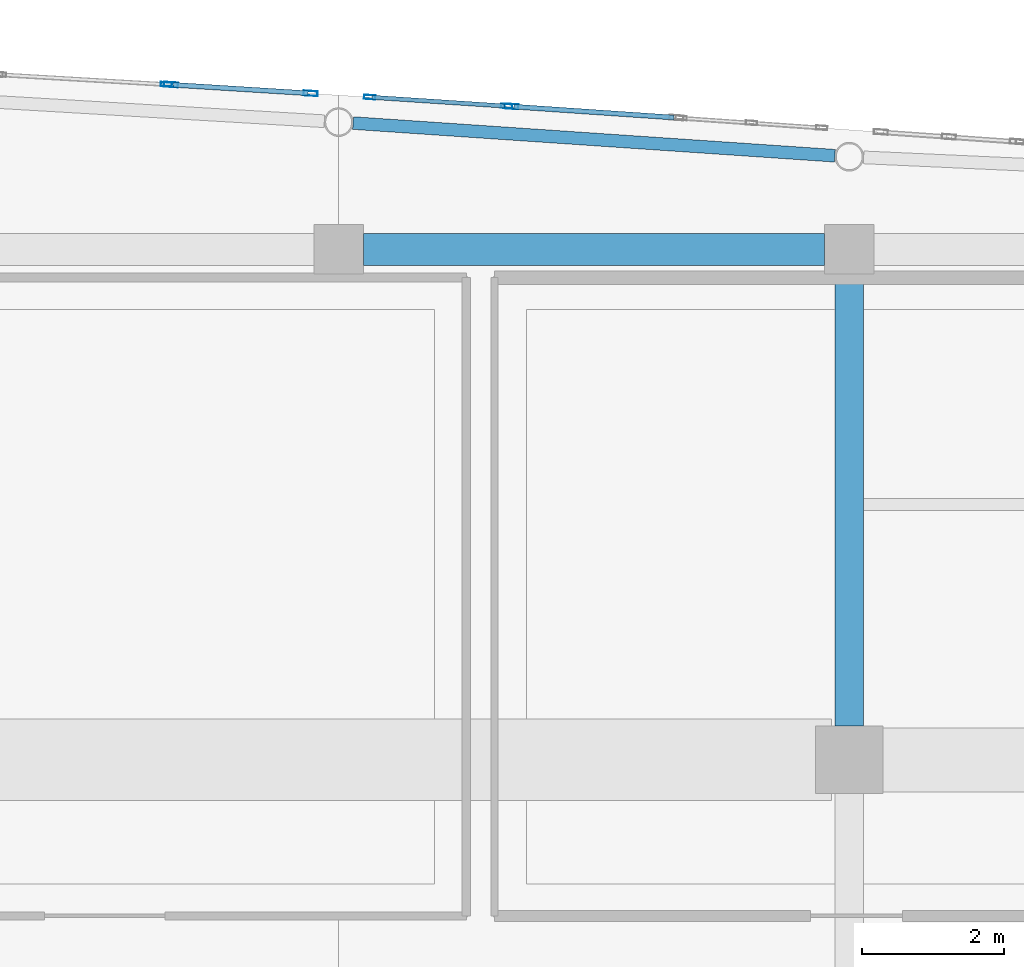
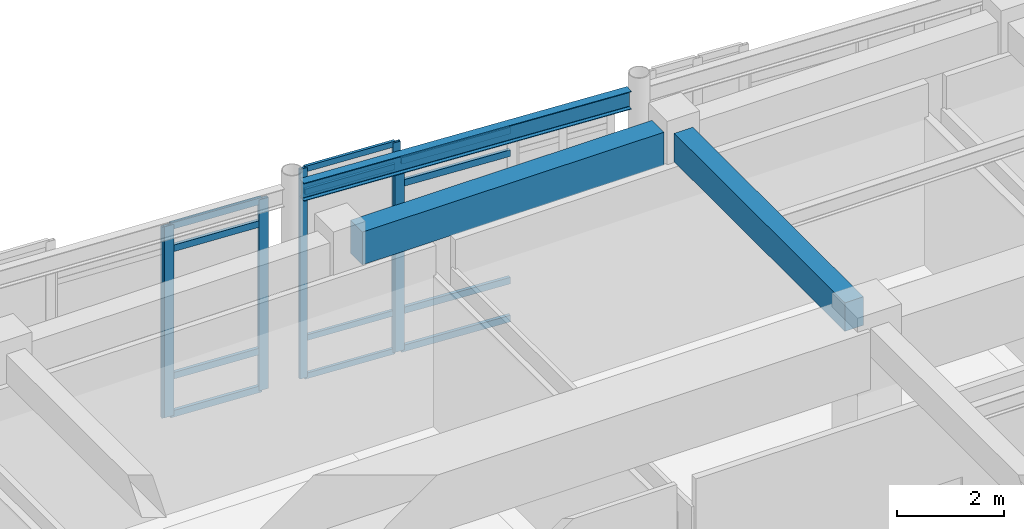
# One storey, part 56 of 117: 18 members, 3 beams, 4 elements without a shape of their own.
"""IFC4 building model written with IfcOpenShell, lengths in metres."""

from ifc_helpers import new_model, si_unit, direction, frame, origin, origin_2d, place, context, subcontext, project, spatial, rectangle, hollow_rectangle, i_section, extrude, material, layer, layer_set, material_profile, profile_set, type_object, element, aggregate, save


model = new_model("IFC4")

# Units and contexts
model_context = context("Model", 3, precision=1e-05, world=origin(), true_north=direction((0.0, 1.0)))
body_context = subcontext(model_context, "Body", "Model", "MODEL_VIEW")
ifc_project = project(units=[si_unit("LENGTHUNIT", "METRE"), si_unit("AREAUNIT", "SQUARE_METRE"), si_unit("VOLUMEUNIT", "CUBIC_METRE"), si_unit("PLANEANGLEUNIT", "RADIAN"), si_unit("MASSUNIT", "GRAM", prefix="KILO")], contexts=[model_context])

# Site, building, storey
site_placement = place(None, origin())
site = spatial("IfcSite", under=ifc_project, at=site_placement, CompositionType="ELEMENT")
building_placement = place(site_placement, origin())
building = spatial("IfcBuilding", under=site, at=building_placement, Name="Carrowvane Square Congress Hotel", CompositionType="ELEMENT")
storey_placement = place(building_placement, frame((0.0, 0.0, 5.39990234375)))
storey = spatial("IfcBuildingStorey", under=building, at=storey_placement, Name="L01", CompositionType="ELEMENT", Elevation=5.39990234375)

# Beams
ifc_material_1 = material(Name="Concrete C35/45", Category="concrete")
ifc_material_profile_1 = material_profile(ifc_material_1, rectangle(XDim=0.39990234375, YDim=0.64990234375, at=origin_2d()), Name="RC 400x650")
ifc_profile_set_1 = profile_set([ifc_material_profile_1], Name="Concrete C35/45")
beam_type_1 = type_object("IfcBeamType", Name="BM-RC-400x650", PredefinedType="BEAM", material=ifc_profile_set_1)
beam_1_placement = place(storey_placement, frame((134.0, 106.675048828125, 4.455078125), z_axis=(0.0, 1.0, 0.0), x_axis=(-1.0, 0.0, 0.0)))
element("IfcBeam", 1, at=beam_1_placement, inside=storey, type_object=beam_type_1, Name="L02 girder 18/Q-R", PredefinedType="BEAM", context=body_context, shape_type="SweptSolid", body=[
    extrude(rectangle(XDim=0.39990234375, YDim=0.64990234375, at=origin_2d()), origin(), (0.0, 0.0, 1.0), 6.375),
])
ifc_material_2 = material(Name="Concrete C35/45", Category="concrete")
ifc_material_profile_2 = material_profile(ifc_material_2, rectangle(XDim=0.449951171875, YDim=0.75, at=origin_2d()), Name="RC 450x750")
ifc_profile_set_2 = profile_set([ifc_material_profile_2], Name="Concrete C35/45")
beam_type_2 = type_object("IfcBeamType", Name="BM-RC-450x750", PredefinedType="USERDEFINED", material=ifc_profile_set_2)
beam_2_placement = place(storey_placement, frame((127.14990234375, 113.39990234375, 4.405029296875), z_axis=(1.0, 0.0, 0.0), x_axis=(0.0, 1.0, 0.0)))
element("IfcBeam", 2, at=beam_2_placement, inside=storey, type_object=beam_type_2, Name="L02 girder R/17-18", ObjectType="GIRDER", PredefinedType="USERDEFINED", context=body_context, shape_type="SweptSolid", body=[
    extrude(rectangle(XDim=0.449951171875, YDim=0.75, at=origin_2d()), origin(), (0.0, 0.0, 1.0), 6.5),
])
ifc_material_3 = material(Name="Steel S355", Category="steel")
ifc_material_profile_3 = material_profile(ifc_material_3, i_section(OverallWidth=0.1787109375, OverallDepth=0.409423828125, WebThickness=0.0087890625, FlangeThickness=0.014404296875, FilletRadius=0.01025390625, at=origin_2d()), Name="UKB 406x178x67")
ifc_profile_set_3 = profile_set([ifc_material_profile_3], Name="Steel S355")
beam_type_3 = type_object("IfcBeamType", Name="BM-ST-UKB406", PredefinedType="BEAM", material=ifc_profile_set_3)
beam_3_placement = place(storey_placement, frame((127.002685546875, 115.1806640625, 4.575439453125), z_axis=(0.997706912919, -0.067682463857, 0.0), x_axis=(0.067682463857, 0.997706912919, 0.0)))
element("IfcBeam", 3, at=beam_3_placement, inside=storey, type_object=beam_type_3, Name="L02 curved north spandrel", PredefinedType="BEAM", context=body_context, shape_type="SweptSolid", body=[
    extrude(i_section(OverallWidth=0.1787109375, OverallDepth=0.409423828125, WebThickness=0.0087890625, FlangeThickness=0.014404296875, FilletRadius=0.01025390625, at=origin_2d()), origin(), (0.0, 0.0, 1.0), 6.810302734375),
])

# Curtain wall, member
ifc_material_4 = material(Name="Anodised aluminium", Category="aluminium")
ifc_layer_1 = layer(ifc_material_4, 0.18603515625)
ifc_layer_set_1 = layer_set([ifc_layer_1], Name="Anodised aluminium")
curtain_wall_type_1 = type_object("IfcCurtainWallType", Name="CW-SYS-3", PredefinedType="NOTDEFINED", material=ifc_layer_set_1)
curtain_wall_1_placement = place(storey_placement, origin())
curtain_wall_1 = element("IfcCurtainWall", 4, at=curtain_wall_1_placement, inside=storey, type_object=curtain_wall_type_1, Name="L01 unitised curtain wall 98", PredefinedType="NOTDEFINED")
ifc_material_5 = material(Name="Anodised aluminium", Category="aluminium")
ifc_material_profile_4 = material_profile(ifc_material_5, hollow_rectangle(XDim=0.06005859375, YDim=0.159912109375, WallThickness=0.00390625, at=origin_2d()), Name="CW-ML 60x160x4")
ifc_profile_set_4 = profile_set([ifc_material_profile_4], Name="Anodised aluminium")
member_type_1 = type_object("IfcMemberType", Name="CW-MUL-1", PredefinedType="MULLION", material=ifc_profile_set_4)
member_1_placement = place(storey_placement, frame((124.3701171875, 115.72607421875, 0.0), z_axis=(0.0, 0.0, 1.0), x_axis=(0.058851249486, 0.998266763162, 0.0)))
member_1 = element("IfcMember", 5, at=member_1_placement, type_object=member_type_1, Name="CW-3 mullion 2", PredefinedType="MULLION", context=body_context, shape_type="SweptSolid", body=[
    extrude(hollow_rectangle(XDim=0.06005859375, YDim=0.159912109375, WallThickness=0.00390625, at=origin_2d()), origin(), (0.0, 0.0, 1.0), 4.355712890625),
])
aggregate(curtain_wall_1, [member_1])

# Curtain wall, members
ifc_material_6 = material(Name="Anodised aluminium", Category="aluminium")
ifc_layer_2 = layer(ifc_material_6, 0.2099609375)
ifc_layer_set_2 = layer_set([ifc_layer_2], Name="Anodised aluminium")
curtain_wall_type_2 = type_object("IfcCurtainWallType", Name="CW-SYS-5", PredefinedType="NOTDEFINED", material=ifc_layer_set_2)
curtain_wall_2_placement = place(storey_placement, origin())
curtain_wall_2 = element("IfcCurtainWall", 6, at=curtain_wall_2_placement, inside=storey, type_object=curtain_wall_type_2, Name="L01 unitised curtain wall 100", PredefinedType="NOTDEFINED")
member_2_placement = place(storey_placement, frame((127.23828125, 115.545654296875, 0.0), z_axis=(0.0, 0.0, 1.0), x_axis=(0.065413941589, 0.9978582145, 0.0)))
member_2 = element("IfcMember", 7, at=member_2_placement, type_object=member_type_1, Name="CW-5 mullion 1", PredefinedType="MULLION", context=body_context, shape_type="SweptSolid", body=[
    extrude(hollow_rectangle(XDim=0.06005859375, YDim=0.159912109375, WallThickness=0.00390625, at=origin_2d()), origin(), (0.0, 0.0, 1.0), 4.780029296875),
])
member_3_placement = place(storey_placement, frame((129.170166015625, 115.4189453125, 0.0), z_axis=(0.0, 0.0, 1.0), x_axis=(0.065413941589, 0.9978582145, 0.0)))
member_3 = element("IfcMember", 8, at=member_3_placement, type_object=member_type_1, Name="CW-5 mullion 2", PredefinedType="MULLION", context=body_context, shape_type="SweptSolid", body=[
    extrude(hollow_rectangle(XDim=0.06005859375, YDim=0.159912109375, WallThickness=0.00390625, at=origin_2d()), origin(), (0.0, 0.0, 1.0), 4.780029296875),
])

ifc_material_7 = material(Name="Anodised aluminium", Category="aluminium")
ifc_layer_3 = layer(ifc_material_7, 0.197998046875)
ifc_layer_set_3 = layer_set([ifc_layer_3], Name="Anodised aluminium")
curtain_wall_type_3 = type_object("IfcCurtainWallType", Name="CW-SYS-4", PredefinedType="NOTDEFINED", material=ifc_layer_set_3)
curtain_wall_3_placement = place(storey_placement, origin())
curtain_wall_3 = element("IfcCurtainWall", 9, at=curtain_wall_3_placement, inside=storey, type_object=curtain_wall_type_3, Name="L01 unitised curtain wall 99", PredefinedType="NOTDEFINED")
ifc_material_8 = material(Name="Anodised aluminium", Category="aluminium")
ifc_material_profile_5 = material_profile(ifc_material_8, hollow_rectangle(XDim=0.070068359375, YDim=0.199951171875, WallThickness=0.0048828125, at=origin_2d()), Name="CW-ML 70x200x5")
ifc_profile_set_5 = profile_set([ifc_material_profile_5], Name="Anodised aluminium")
member_type_2 = type_object("IfcMemberType", Name="CW-MUL-2", PredefinedType="MULLION", material=ifc_profile_set_5)
member_4_placement = place(storey_placement, frame((124.434814453125, 115.72216796875, 0.0), z_axis=(0.0, 0.0, 1.0), x_axis=(0.062397170272, 0.998051398046, 0.0)))
member_4 = element("IfcMember", 10, at=member_4_placement, type_object=member_type_2, Name="CW-4 mullion 1", PredefinedType="MULLION", context=body_context, shape_type="SweptSolid", body=[
    extrude(hollow_rectangle(XDim=0.070068359375, YDim=0.199951171875, WallThickness=0.0048828125, at=origin_2d()), origin(), (0.0, 0.0, 1.0), 4.355712890625),
])
member_5_placement = place(storey_placement, frame((126.405029296875, 115.598876953125, 0.0), z_axis=(0.0, 0.0, 1.0), x_axis=(0.062397170272, 0.998051398046, 0.0)))
member_5 = element("IfcMember", 11, at=member_5_placement, type_object=member_type_2, Name="CW-4 mullion 2", PredefinedType="MULLION", context=body_context, shape_type="SweptSolid", body=[
    extrude(hollow_rectangle(XDim=0.070068359375, YDim=0.199951171875, WallThickness=0.0048828125, at=origin_2d()), origin(), (0.0, 0.0, 1.0), 4.355712890625),
])

# Curtain wall, member
ifc_material_9 = material(Name="Anodised aluminium", Category="aluminium")
ifc_layer_4 = layer(ifc_material_9, 0.221923828125)
ifc_layer_set_4 = layer_set([ifc_layer_4], Name="Anodised aluminium")
curtain_wall_type_4 = type_object("IfcCurtainWallType", Name="CW-SYS-6", PredefinedType="NOTDEFINED", material=ifc_layer_set_4)
curtain_wall_4_placement = place(storey_placement, origin())
curtain_wall_4 = element("IfcCurtainWall", 12, at=curtain_wall_4_placement, inside=storey, type_object=curtain_wall_type_4, Name="L01 unitised curtain wall 101", PredefinedType="NOTDEFINED")
member_6_placement = place(storey_placement, frame((129.23486328125, 115.41455078125, 0.0), z_axis=(0.0, 0.0, 1.0), x_axis=(0.067869562107, 0.99769420292, 0.0)))
member_6 = element("IfcMember", 13, at=member_6_placement, type_object=member_type_2, Name="CW-6 mullion 1", PredefinedType="MULLION", context=body_context, shape_type="SweptSolid", body=[
    extrude(hollow_rectangle(XDim=0.070068359375, YDim=0.199951171875, WallThickness=0.0048828125, at=origin_2d()), origin(), (0.0, 0.0, 1.0), 4.355712890625),
])

# Member
ifc_material_10 = material(Name="Anodised aluminium", Category="aluminium")
ifc_material_profile_6 = material_profile(ifc_material_10, hollow_rectangle(XDim=0.06005859375, YDim=0.1298828125, WallThickness=0.00390625, at=origin_2d()), Name="CW-TR 60x130x4")
ifc_profile_set_6 = profile_set([ifc_material_profile_6], Name="Anodised aluminium")
member_type_3 = type_object("IfcMemberType", Name="CW-TRN-1", PredefinedType="USERDEFINED", material=ifc_profile_set_6)
member_7_placement = place(storey_placement, frame((127.268310546875, 115.543701171875, 0.030029296875), z_axis=(0.997854858908, -0.065465109434, 0.0), x_axis=(0.065465109434, 0.997854858908, 0.0)))
member_7 = element("IfcMember", 14, at=member_7_placement, type_object=member_type_3, Name="CW-5 transom 1.1", ObjectType="TRANSOM", PredefinedType="USERDEFINED", context=body_context, shape_type="SweptSolid", body=[
    extrude(hollow_rectangle(XDim=0.06005859375, YDim=0.1298828125, WallThickness=0.00390625, at=origin_2d()), origin(), (0.0, 0.0, 1.0), 1.875732421875),
])

member_8_placement = place(storey_placement, frame((127.268310546875, 115.543701171875, 0.900146484375), z_axis=(0.997854858908, -0.065465109434, 0.0), x_axis=(0.065465109434, 0.997854858908, 0.0)))
member_8 = element("IfcMember", 15, at=member_8_placement, type_object=member_type_3, Name="CW-5 transom 1.2", ObjectType="TRANSOM", PredefinedType="USERDEFINED", context=body_context, shape_type="SweptSolid", body=[
    extrude(hollow_rectangle(XDim=0.06005859375, YDim=0.1298828125, WallThickness=0.00390625, at=origin_2d()), origin(), (0.0, 0.0, 1.0), 1.875732421875),
])

member_9_placement = place(storey_placement, frame((127.268310546875, 115.543701171875, 4.22998046875), z_axis=(0.997854858908, -0.065465109434, 0.0), x_axis=(0.065465109434, 0.997854858908, 0.0)))
member_9 = element("IfcMember", 16, at=member_9_placement, type_object=member_type_3, Name="CW-5 transom 1.3", ObjectType="TRANSOM", PredefinedType="USERDEFINED", context=body_context, shape_type="SweptSolid", body=[
    extrude(hollow_rectangle(XDim=0.06005859375, YDim=0.1298828125, WallThickness=0.00390625, at=origin_2d()), origin(), (0.0, 0.0, 1.0), 1.875732421875),
])

member_10_placement = place(storey_placement, frame((127.268310546875, 115.543701171875, 4.75), z_axis=(0.997854858908, -0.065465109434, 0.0), x_axis=(0.065465109434, 0.997854858908, 0.0)))
member_10 = element("IfcMember", 17, at=member_10_placement, type_object=member_type_3, Name="CW-5 transom 1.4", ObjectType="TRANSOM", PredefinedType="USERDEFINED", context=body_context, shape_type="SweptSolid", body=[
    extrude(hollow_rectangle(XDim=0.06005859375, YDim=0.1298828125, WallThickness=0.00390625, at=origin_2d()), origin(), (0.0, 0.0, 1.0), 1.875732421875),
])

aggregate(curtain_wall_2, [member_2, member_3, member_7, member_8, member_9, member_10])

ifc_material_11 = material(Name="Anodised aluminium", Category="aluminium")
ifc_material_profile_7 = material_profile(ifc_material_11, hollow_rectangle(XDim=0.070068359375, YDim=0.14990234375, WallThickness=0.0048828125, at=origin_2d()), Name="CW-TR 70x150x5")
ifc_profile_set_7 = profile_set([ifc_material_profile_7], Name="Anodised aluminium")
member_type_4 = type_object("IfcMemberType", Name="CW-TRN-2", PredefinedType="USERDEFINED", material=ifc_profile_set_7)
member_11_placement = place(storey_placement, frame((124.469970703125, 115.719970703125, 0.03515625), z_axis=(0.998048085199, -0.062450137157, 0.0), x_axis=(0.062450137157, 0.998048085199, 0.0)))
member_11 = element("IfcMember", 18, at=member_11_placement, type_object=member_type_4, Name="CW-4 transom 1.1", ObjectType="TRANSOM", PredefinedType="USERDEFINED", context=body_context, shape_type="SweptSolid", body=[
    extrude(hollow_rectangle(XDim=0.070068359375, YDim=0.14990234375, WallThickness=0.0048828125, at=origin_2d()), origin(), (0.0, 0.0, 1.0), 1.90380859375),
])

member_12_placement = place(storey_placement, frame((124.469970703125, 115.719970703125, 0.900146484375), z_axis=(0.998048085199, -0.062450137157, 0.0), x_axis=(0.062450137157, 0.998048085199, 0.0)))
member_12 = element("IfcMember", 19, at=member_12_placement, type_object=member_type_4, Name="CW-4 transom 1.2", ObjectType="TRANSOM", PredefinedType="USERDEFINED", context=body_context, shape_type="SweptSolid", body=[
    extrude(hollow_rectangle(XDim=0.070068359375, YDim=0.14990234375, WallThickness=0.0048828125, at=origin_2d()), origin(), (0.0, 0.0, 1.0), 1.90380859375),
])

member_13_placement = place(storey_placement, frame((124.469970703125, 115.719970703125, 3.8056640625), z_axis=(0.998048085199, -0.062450137157, 0.0), x_axis=(0.062450137157, 0.998048085199, 0.0)))
member_13 = element("IfcMember", 20, at=member_13_placement, type_object=member_type_4, Name="CW-4 transom 1.3", ObjectType="TRANSOM", PredefinedType="USERDEFINED", context=body_context, shape_type="SweptSolid", body=[
    extrude(hollow_rectangle(XDim=0.070068359375, YDim=0.14990234375, WallThickness=0.0048828125, at=origin_2d()), origin(), (0.0, 0.0, 1.0), 1.90380859375),
])

member_14_placement = place(storey_placement, frame((124.469970703125, 115.719970703125, 4.32080078125), z_axis=(0.998048085199, -0.062450137157, 0.0), x_axis=(0.062450137157, 0.998048085199, 0.0)))
member_14 = element("IfcMember", 21, at=member_14_placement, type_object=member_type_4, Name="CW-4 transom 1.4", ObjectType="TRANSOM", PredefinedType="USERDEFINED", context=body_context, shape_type="SweptSolid", body=[
    extrude(hollow_rectangle(XDim=0.070068359375, YDim=0.14990234375, WallThickness=0.0048828125, at=origin_2d()), origin(), (0.0, 0.0, 1.0), 1.90380859375),
])

aggregate(curtain_wall_3, [member_4, member_5, member_11, member_12, member_13, member_14])

member_15_placement = place(storey_placement, frame((129.269775390625, 115.412109375, 0.03515625), z_axis=(0.997699953678, -0.067784972009, 0.0), x_axis=(0.067784972009, 0.997699953678, 0.0)))
member_15 = element("IfcMember", 22, at=member_15_placement, type_object=member_type_4, Name="CW-6 transom 1.1", ObjectType="TRANSOM", PredefinedType="USERDEFINED", context=body_context, shape_type="SweptSolid", body=[
    extrude(hollow_rectangle(XDim=0.070068359375, YDim=0.14990234375, WallThickness=0.0048828125, at=origin_2d()), origin(), (0.0, 0.0, 1.0), 2.265380859375),
])

member_16_placement = place(storey_placement, frame((129.269775390625, 115.412109375, 0.900146484375), z_axis=(0.997699953678, -0.067784972009, 0.0), x_axis=(0.067784972009, 0.997699953678, 0.0)))
member_16 = element("IfcMember", 23, at=member_16_placement, type_object=member_type_4, Name="CW-6 transom 1.2", ObjectType="TRANSOM", PredefinedType="USERDEFINED", context=body_context, shape_type="SweptSolid", body=[
    extrude(hollow_rectangle(XDim=0.070068359375, YDim=0.14990234375, WallThickness=0.0048828125, at=origin_2d()), origin(), (0.0, 0.0, 1.0), 2.265380859375),
])

member_17_placement = place(storey_placement, frame((129.269775390625, 115.412109375, 3.8056640625), z_axis=(0.997699953678, -0.067784972009, 0.0), x_axis=(0.067784972009, 0.997699953678, 0.0)))
member_17 = element("IfcMember", 24, at=member_17_placement, type_object=member_type_4, Name="CW-6 transom 1.3", ObjectType="TRANSOM", PredefinedType="USERDEFINED", context=body_context, shape_type="SweptSolid", body=[
    extrude(hollow_rectangle(XDim=0.070068359375, YDim=0.14990234375, WallThickness=0.0048828125, at=origin_2d()), origin(), (0.0, 0.0, 1.0), 2.265380859375),
])

member_18_placement = place(storey_placement, frame((129.269775390625, 115.412109375, 4.32080078125), z_axis=(0.997699953678, -0.067784972009, 0.0), x_axis=(0.067784972009, 0.997699953678, 0.0)))
member_18 = element("IfcMember", 25, at=member_18_placement, type_object=member_type_4, Name="CW-6 transom 1.4", ObjectType="TRANSOM", PredefinedType="USERDEFINED", context=body_context, shape_type="SweptSolid", body=[
    extrude(hollow_rectangle(XDim=0.070068359375, YDim=0.14990234375, WallThickness=0.0048828125, at=origin_2d()), origin(), (0.0, 0.0, 1.0), 2.265380859375),
])

aggregate(curtain_wall_4, [member_6, member_15, member_16, member_17, member_18])

save(model, "model.ifc")
